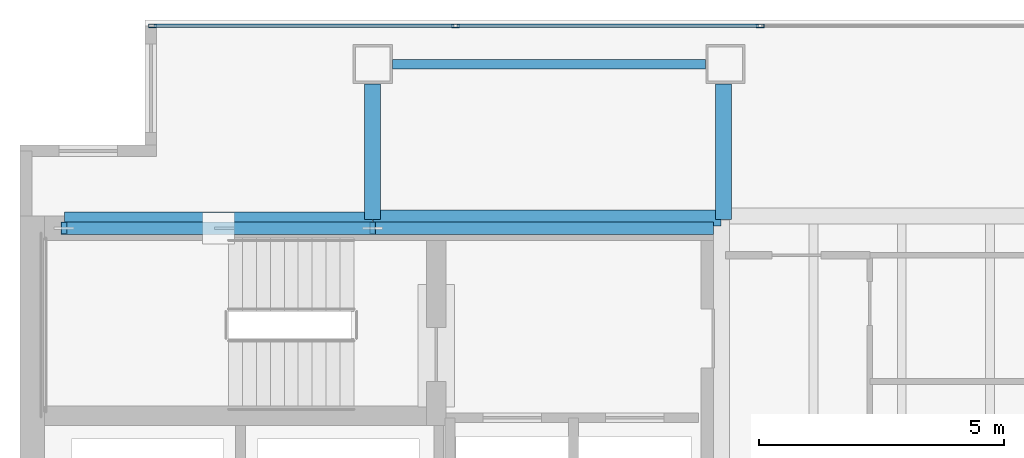
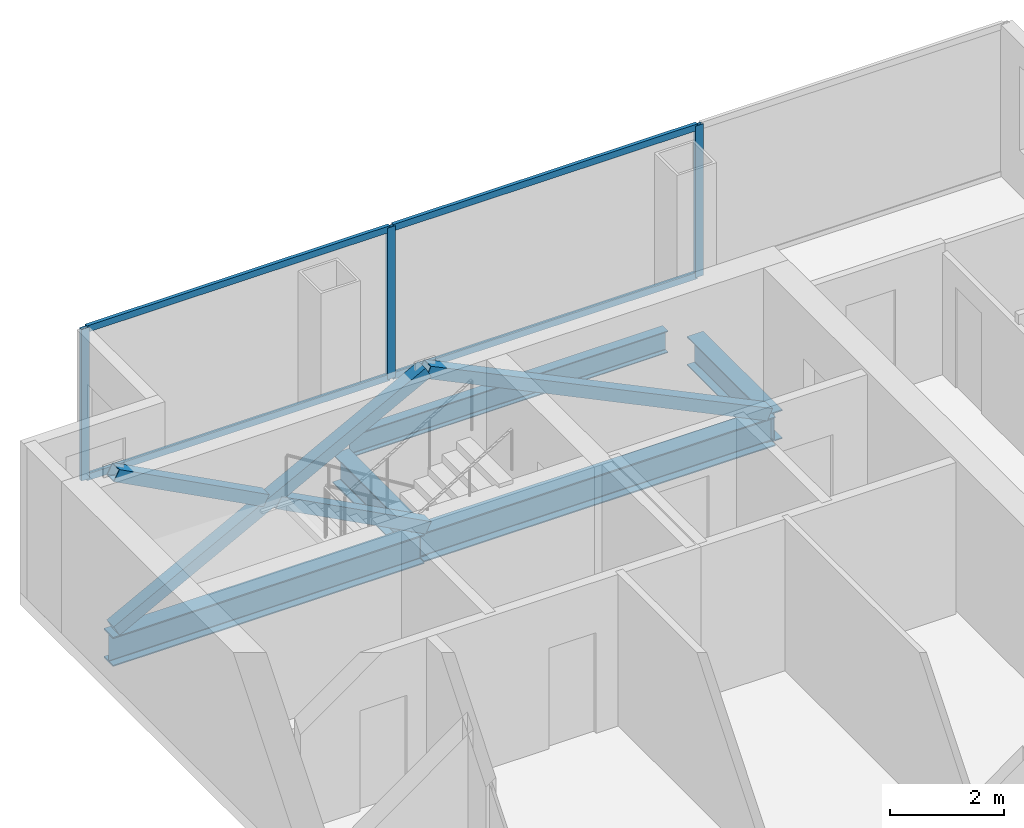
# One storey, part 17 of 23: 11 members, 5 beams, 1 element without a shape of its own.
"""IFC4 building model written with IfcOpenShell, lengths in metres."""

from ifc_helpers import new_model, si_unit, direction, frame, origin, origin_2d, place, context, subcontext, project, spatial, hollow_rectangle, i_section, extrude, material, material_profile, profile_set, type_object, element, aggregate, save


model = new_model("IFC4")

# Units and contexts
model_context = context("Model", 3, precision=1e-05, world=origin(), true_north=direction((0.0, 1.0)))
body_context = subcontext(model_context, "Body", "Model", "MODEL_VIEW")
ifc_project = project(units=[si_unit("LENGTHUNIT", "METRE"), si_unit("AREAUNIT", "SQUARE_METRE"), si_unit("VOLUMEUNIT", "CUBIC_METRE"), si_unit("PLANEANGLEUNIT", "RADIAN"), si_unit("MASSUNIT", "GRAM", prefix="KILO")], contexts=[model_context])

# Site, building, storey
site_placement = place(None, origin())
site = spatial("IfcSite", under=ifc_project, at=site_placement, CompositionType="ELEMENT")
building_placement = place(site_placement, origin())
building = spatial("IfcBuilding", under=site, at=building_placement, Name="Cobrela Telecom Tower", CompositionType="ELEMENT")
storey_placement = place(building_placement, frame((0.0, 0.0, 190.75)))
storey = spatial("IfcBuildingStorey", under=building, at=storey_placement, Name="L48", CompositionType="ELEMENT", Elevation=190.75)

# Beams
ifc_material_1 = material(Name="Steel ASTM A992 Grade 50", Category="steel")
ifc_material_profile_1 = material_profile(ifc_material_1, i_section(OverallWidth=0.327880859375, OverallDepth=0.6220703125, WebThickness=0.015380859375, FlangeThickness=0.0244140625, FilletRadius=0.014892578125, at=origin_2d()), Name="W24X131")
ifc_profile_set_1 = profile_set([ifc_material_profile_1], Name="Steel ASTM A992 Grade 50")
beam_type_1 = type_object("IfcBeamType", Name="BM-GIRD-06", PredefinedType="USERDEFINED", material=ifc_profile_set_1)
beam_1_placement = place(storey_placement, frame((0.905029296875, 35.919921875, -0.571044921875), z_axis=(1.0, 0.0, 0.0), x_axis=(0.0, 1.0, 0.0)))
element("IfcBeam", 1, at=beam_1_placement, inside=storey, type_object=beam_type_1, Name="L48 Primary Girder X20", ObjectType="GIRDER", PredefinedType="USERDEFINED", context=body_context, shape_type="SweptSolid", body=[
    extrude(i_section(OverallWidth=0.327880859375, OverallDepth=0.6220703125, WebThickness=0.015380859375, FlangeThickness=0.0244140625, FilletRadius=0.014892578125, at=origin_2d()), origin(), (0.0, 0.0, 1.0), 6.2900390625),
])
beam_2_placement = place(storey_placement, frame((7.205078125, 35.9599609375, -0.571044921875), z_axis=(1.0, 0.0, 0.0), x_axis=(0.0, 1.0, 0.0)))
element("IfcBeam", 2, at=beam_2_placement, inside=storey, type_object=beam_type_1, Name="L48 Primary Girder X21", ObjectType="GIRDER", PredefinedType="USERDEFINED", context=body_context, shape_type="SweptSolid", body=[
    extrude(i_section(OverallWidth=0.327880859375, OverallDepth=0.6220703125, WebThickness=0.015380859375, FlangeThickness=0.0244140625, FilletRadius=0.014892578125, at=origin_2d()), origin(), (0.0, 0.0, 1.0), 7.10986328125),
])
for number, where, z_axis, x_axis, name in (
    (3, (7.199951171875, 35.925048828125, -0.571044921875), (0.0, 1.0, 0.0), (-1.0, 0.0, 0.0), "L48 Primary Girder Y25"),
    (4, (14.360107421875, 35.925048828125, -0.571044921875), (0.0, 1.0, 0.0), (-1.0, 0.0, 0.0), "L48 Primary Girder Y31"),
):
    element("IfcBeam", number, at=place(storey_placement, frame(where, z_axis=z_axis, x_axis=x_axis)), inside=storey, type_object=beam_type_1, Name=name, ObjectType="GIRDER", PredefinedType="USERDEFINED", context=body_context, shape_type="SweptSolid", body=[
        extrude(i_section(OverallWidth=0.327880859375, OverallDepth=0.6220703125, WebThickness=0.015380859375, FlangeThickness=0.0244140625, FilletRadius=0.014892578125, at=origin_2d()), origin(), (0.0, 0.0, 1.0), 2.77001953125),
    ])
ifc_material_profile_2 = material_profile(ifc_material_1, i_section(OverallWidth=0.193115234375, OverallDepth=0.467041015625, WebThickness=0.011474609375, FlangeThickness=0.01904296875, FilletRadius=0.012939453125, at=origin_2d()), Name="W18X65")
ifc_profile_set_2 = profile_set([ifc_material_profile_2], Name="Steel ASTM A992 Grade 50")
beam_type_2 = type_object("IfcBeamType", Name="BM-SPAND-05", PredefinedType="SPANDREL", material=ifc_profile_set_2)
beam_3_placement = place(storey_placement, frame((7.60498046875, 39.10009765625, -0.493408203125), z_axis=(1.0, 0.0, 0.0), x_axis=(0.0, 1.0, 0.0)))
element("IfcBeam", 5, at=beam_3_placement, inside=storey, type_object=beam_type_2, Name="L48 Perimeter Spandrel X23", PredefinedType="SPANDREL", context=body_context, shape_type="SweptSolid", body=[
    extrude(i_section(OverallWidth=0.193115234375, OverallDepth=0.467041015625, WebThickness=0.011474609375, FlangeThickness=0.01904296875, FilletRadius=0.012939453125, at=origin_2d()), origin(), (0.0, 0.0, 1.0), 6.39013671875),
])

# Curtain wall, members
ifc_material_2 = material(Name="Anodized Bronze Aluminium 6063-T6", Category="aluminium")
curtain_wall_type = type_object("IfcCurtainWallType", Name="CW-SYS-OFF-LO", PredefinedType="USERDEFINED", material=ifc_material_2)
curtain_wall_placement = place(storey_placement, origin())
curtain_wall = element("IfcCurtainWall", 6, at=curtain_wall_placement, inside=storey, type_object=curtain_wall_type, Name="L48 Unitised Bronze Curtain Wall 07", ObjectType="UNITISED CURTAIN WALL", PredefinedType="USERDEFINED")
ifc_material_profile_3 = material_profile(ifc_material_2, hollow_rectangle(XDim=0.070068359375, YDim=0.159912109375, WallThickness=0.00390625, at=origin_2d()), Name="ALU 70x160x4")
ifc_profile_set_3 = profile_set([ifc_material_profile_3], Name="Anodized Bronze Aluminium 6063-T6")
member_type_1 = type_object("IfcMemberType", Name="CW-SYS-OFF-LO-MUL", PredefinedType="MULLION", material=ifc_profile_set_3)
member_1_placement = place(storey_placement, frame((2.705078125, 39.8798828125, 0.0), z_axis=(0.0, 0.0, 1.0), x_axis=(0.0, 1.0, 0.0)))
member_1 = element("IfcMember", 7, at=member_1_placement, type_object=member_type_1, Name="CW-OFF-LO mullion 1", PredefinedType="MULLION", context=body_context, shape_type="SweptSolid", body=[
    extrude(hollow_rectangle(XDim=0.070068359375, YDim=0.159912109375, WallThickness=0.00390625, at=origin_2d()), origin(), (0.0, 0.0, 1.0), 3.239990234375),
])
member_2_placement = place(storey_placement, frame((8.889892578125, 39.8798828125, 0.0), z_axis=(0.0, 0.0, 1.0), x_axis=(0.0, 1.0, 0.0)))
member_2 = element("IfcMember", 8, at=member_2_placement, type_object=member_type_1, Name="CW-OFF-LO mullion 2", PredefinedType="MULLION", context=body_context, shape_type="SweptSolid", body=[
    extrude(hollow_rectangle(XDim=0.070068359375, YDim=0.159912109375, WallThickness=0.00390625, at=origin_2d()), origin(), (0.0, 0.0, 1.0), 3.239990234375),
])
member_3_placement = place(storey_placement, frame((15.110107421875, 39.8798828125, 0.0), z_axis=(0.0, 0.0, 1.0), x_axis=(0.0, 1.0, 0.0)))
member_3 = element("IfcMember", 9, at=member_3_placement, type_object=member_type_1, Name="CW-OFF-LO mullion 3", PredefinedType="MULLION", context=body_context, shape_type="SweptSolid", body=[
    extrude(hollow_rectangle(XDim=0.070068359375, YDim=0.159912109375, WallThickness=0.00390625, at=origin_2d()), origin(), (0.0, 0.0, 1.0), 3.239990234375),
])
ifc_material_profile_4 = material_profile(ifc_material_2, hollow_rectangle(XDim=0.070068359375, YDim=0.139892578125, WallThickness=0.00390625, at=origin_2d()), Name="ALU 70x140x4")
ifc_profile_set_4 = profile_set([ifc_material_profile_4], Name="Anodized Bronze Aluminium 6063-T6")
member_type_2 = type_object("IfcMemberType", Name="CW-SYS-OFF-LO-TRN", PredefinedType="USERDEFINED", material=ifc_profile_set_4)
member_4_placement = place(storey_placement, frame((2.739990234375, 39.8798828125, 0.034912109375), z_axis=(1.0, 0.0, 0.0), x_axis=(0.0, 1.0, 0.0)))
member_4 = element("IfcMember", 10, at=member_4_placement, type_object=member_type_2, Name="CW-OFF-LO transom 1.1", ObjectType="TRANSOM", PredefinedType="USERDEFINED", context=body_context, shape_type="SweptSolid", body=[
    extrude(hollow_rectangle(XDim=0.070068359375, YDim=0.139892578125, WallThickness=0.00390625, at=origin_2d()), origin(), (0.0, 0.0, 1.0), 6.114990234375),
])
member_5_placement = place(storey_placement, frame((2.739990234375, 39.8798828125, 3.205078125), z_axis=(1.0, 0.0, 0.0), x_axis=(0.0, 1.0, 0.0)))
member_5 = element("IfcMember", 11, at=member_5_placement, type_object=member_type_2, Name="CW-OFF-LO transom 1.2", ObjectType="TRANSOM", PredefinedType="USERDEFINED", context=body_context, shape_type="SweptSolid", body=[
    extrude(hollow_rectangle(XDim=0.070068359375, YDim=0.139892578125, WallThickness=0.00390625, at=origin_2d()), origin(), (0.0, 0.0, 1.0), 6.114990234375),
])
member_6_placement = place(storey_placement, frame((8.925048828125, 39.8798828125, 0.034912109375), z_axis=(1.0, 0.0, 0.0), x_axis=(0.0, 1.0, 0.0)))
member_6 = element("IfcMember", 12, at=member_6_placement, type_object=member_type_2, Name="CW-OFF-LO transom 2.1", ObjectType="TRANSOM", PredefinedType="USERDEFINED", context=body_context, shape_type="SweptSolid", body=[
    extrude(hollow_rectangle(XDim=0.070068359375, YDim=0.139892578125, WallThickness=0.00390625, at=origin_2d()), origin(), (0.0, 0.0, 1.0), 6.14990234375),
])
member_7_placement = place(storey_placement, frame((8.925048828125, 39.8798828125, 3.205078125), z_axis=(1.0, 0.0, 0.0), x_axis=(0.0, 1.0, 0.0)))
member_7 = element("IfcMember", 13, at=member_7_placement, type_object=member_type_2, Name="CW-OFF-LO transom 2.2", ObjectType="TRANSOM", PredefinedType="USERDEFINED", context=body_context, shape_type="SweptSolid", body=[
    extrude(hollow_rectangle(XDim=0.070068359375, YDim=0.139892578125, WallThickness=0.00390625, at=origin_2d()), origin(), (0.0, 0.0, 1.0), 6.14990234375),
])
aggregate(curtain_wall, [member_1, member_2, member_3, member_4, member_5, member_6, member_7])

# Members
ifc_material_3 = material(Name="Steel ASTM A572 Grade 50", Category="steel")
ifc_material_profile_5 = material_profile(ifc_material_3, hollow_rectangle(XDim=0.25, YDim=0.25, WallThickness=0.013916015625, at=origin_2d()), Name="HSS 250x250x14")
ifc_profile_set_5 = profile_set([ifc_material_profile_5], Name="Steel ASTM A572 Grade 50")
member_type_3 = type_object("IfcMemberType", Name="MBR-EXO-04", PredefinedType="BRACE", material=ifc_profile_set_5)
member_8_placement = place(storey_placement, frame((0.89990234375, 35.75, -0.0400390625), z_axis=(0.884671945606, 0.0, 0.466214058837), x_axis=(0.0, 1.0, 0.0)))
element("IfcMember", 14, at=member_8_placement, inside=storey, type_object=member_type_3, Name="L48 Core Flange Steel X-Brace Continuous A", PredefinedType="BRACE", context=body_context, shape_type="SweptSolid", body=[
    extrude(hollow_rectangle(XDim=0.25, YDim=0.25, WallThickness=0.013916015625, at=origin_2d()), origin(), (0.0, 0.0, 1.0), 7.121337890625),
])
for number, where, z_axis, x_axis, name in (
    (15, (7.199951171875, 35.75, -0.0400390625), (-0.884673479945, 0.0, 0.466211147317), (0.0, -1.0, 0.0), "L48 Core Flange Steel X-Brace Split B1"),
    (16, (3.926025390625, 35.75, 1.685302734375), (-0.884673479945, 0.0, 0.466211147317), (0.0, -1.0, 0.0), "L48 Core Flange Steel X-Brace Split B2"),
):
    element("IfcMember", number, at=place(storey_placement, frame(where, z_axis=z_axis, x_axis=x_axis)), inside=storey, type_object=member_type_3, Name=name, PredefinedType="BRACE", context=body_context, shape_type="SweptSolid", body=[
        extrude(hollow_rectangle(XDim=0.25, YDim=0.25, WallThickness=0.013916015625, at=origin_2d()), origin(), (0.0, 0.0, 1.0), 3.420654296875),
    ])
member_9_placement = place(storey_placement, frame((14.10009765625, 35.75, -0.0400390625), z_axis=(-0.901115182893, 0.0, 0.43357978177), x_axis=(0.0, -1.0, 0.0)))
element("IfcMember", 17, at=member_9_placement, inside=storey, type_object=member_type_3, Name="L48 Core Flange Steel Brace N2", PredefinedType="BRACE", context=body_context, shape_type="SweptSolid", body=[
    extrude(hollow_rectangle(XDim=0.25, YDim=0.25, WallThickness=0.013916015625, at=origin_2d()), origin(), (0.0, 0.0, 1.0), 7.6572265625),
])

save(model, "model.ifc")
